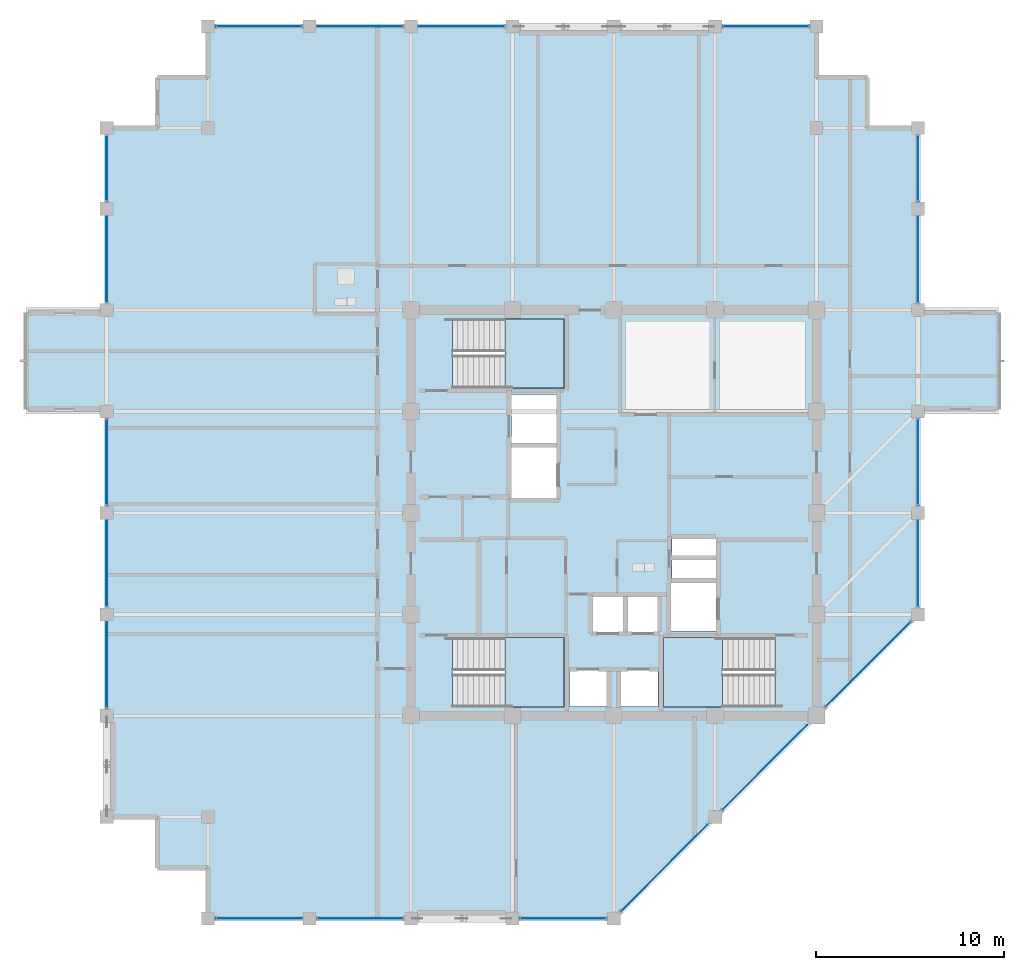
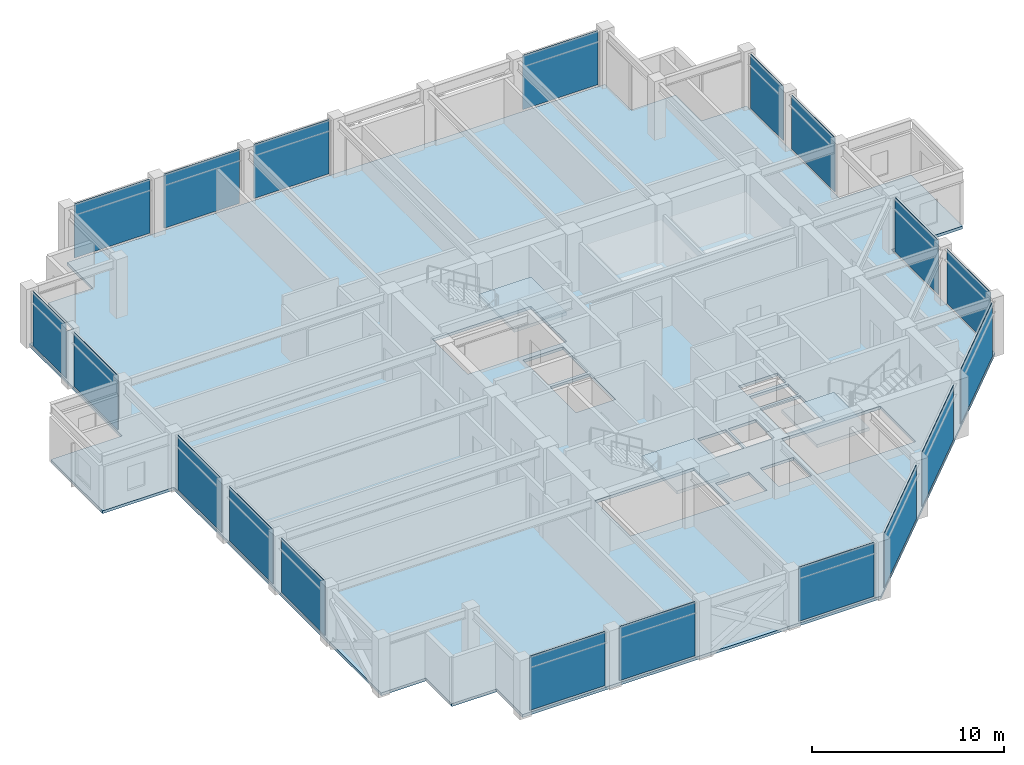
# One storey, part 22 of 31: 19 plates, 4 slabs, 12 elements without a shape of their own.
"""IFC4 building model written with IfcOpenShell, lengths in metres."""

from ifc_helpers import new_model, si_unit, direction, frame, frame_2d, origin, place, context, subcontext, project, spatial, polyline, rectangle, outline, extrude, material, layer, layer_set, type_object, element, aggregate, save


model = new_model("IFC4")

# Units and contexts
model_context = context("Model", 3, precision=1e-05, world=origin(), true_north=direction((0.0, 1.0)))
body_context = subcontext(model_context, "Body", "Model", "MODEL_VIEW")
ifc_project = project(units=[si_unit("LENGTHUNIT", "METRE"), si_unit("AREAUNIT", "SQUARE_METRE"), si_unit("VOLUMEUNIT", "CUBIC_METRE"), si_unit("PLANEANGLEUNIT", "RADIAN"), si_unit("MASSUNIT", "GRAM", prefix="KILO")], contexts=[model_context])

# Site, building, storey
site_placement = place(None, origin())
site = spatial("IfcSite", under=ifc_project, at=site_placement, CompositionType="ELEMENT")
building_placement = place(site_placement, origin())
building = spatial("IfcBuilding", under=site, at=building_placement, Name="Surkhivell Harbour Commons", CompositionType="ELEMENT")
storey_placement = place(building_placement, frame((0.0, 0.0, 262.5)))
storey = spatial("IfcBuildingStorey", under=building, at=storey_placement, Name="L68", CompositionType="ELEMENT", Elevation=262.5)

# Curtain wall, plates
ifc_material_1 = material(Name="Anodised pale-metal aluminium and insulated glazing", Category="aluminium")
ifc_layer_1 = layer(ifc_material_1, 0.175048828125)
ifc_layer_set_1 = layer_set([ifc_layer_1], Name="Anodised pale-metal aluminium and insulated glazing")
curtain_wall_type = type_object("IfcCurtainWallType", Name="CW-SYS-Z4", PredefinedType="NOTDEFINED", material=ifc_layer_set_1)
curtain_wall_1_placement = place(storey_placement, origin())
curtain_wall_1 = element("IfcCurtainWall", 1, at=curtain_wall_1_placement, inside=storey, type_object=curtain_wall_type, Name="L68 Curtain Wall CW-L68-E00S1", PredefinedType="NOTDEFINED")
ifc_material_2 = material(Name="Double-silver low-E laminated vision glass", Category="glass")
ifc_layer_2 = layer(ifc_material_2, 0.031982421875)
ifc_layer_set_2 = layer_set([ifc_layer_2], Name="Double-silver low-E laminated vision glass")
plate_type = type_object("IfcPlateType", Name="CWP-GLZ-32", PredefinedType="CURTAIN_PANEL", material=ifc_layer_set_2)
plate_1_placement = place(storey_placement, frame((-21.173095703125, -21.60009765625, 0.1298828125), z_axis=(0.0, 0.0, 1.0), x_axis=(1.0, 0.0, 0.0)))
plate_1 = element("IfcPlate", 2, at=plate_1_placement, type_object=plate_type, Name="CW-Z4 panel 1.1", PredefinedType="CURTAIN_PANEL", context=body_context, shape_type="SweptSolid", body=[
    extrude(rectangle(XDim=4.546142578125, YDim=0.031982421875, at=frame_2d((2.27294921875, 0.0))), origin(), (0.0, 0.0, 1.0), 3.440185546875),
])
plate_2_placement = place(storey_placement, frame((-15.77294921875, -21.60009765625, 0.1298828125), z_axis=(0.0, 0.0, 1.0), x_axis=(1.0, 0.0, 0.0)))
plate_2 = element("IfcPlate", 3, at=plate_2_placement, type_object=plate_type, Name="CW-Z4 panel 2.1", PredefinedType="CURTAIN_PANEL", context=body_context, shape_type="SweptSolid", body=[
    extrude(rectangle(XDim=4.5458984375, YDim=0.031982421875, at=frame_2d((2.27294921875, 0.0))), origin(), (0.0, 0.0, 1.0), 3.440185546875),
])
aggregate(curtain_wall_1, [plate_1, plate_2])

# Curtain wall, plate
curtain_wall_2_placement = place(storey_placement, origin())
curtain_wall_2 = element("IfcCurtainWall", 4, at=curtain_wall_2_placement, inside=storey, type_object=curtain_wall_type, Name="L68 Curtain Wall CW-L68-E00S2", PredefinedType="NOTDEFINED")
plate_3_placement = place(storey_placement, frame((-4.972900390625, -21.60009765625, 0.1298828125), z_axis=(0.0, 0.0, 1.0), x_axis=(1.0, 0.0, 0.0)))
plate_3 = element("IfcPlate", 5, at=plate_3_placement, type_object=plate_type, Name="CW-Z4 panel 1.1", PredefinedType="CURTAIN_PANEL", context=body_context, shape_type="SweptSolid", body=[
    extrude(rectangle(XDim=4.5458984375, YDim=0.031982421875, at=frame_2d((2.27294921875, 0.0))), origin(), (0.0, 0.0, 1.0), 3.440185546875),
])
aggregate(curtain_wall_2, [plate_3])

# Curtain wall, plates
curtain_wall_3_placement = place(storey_placement, origin())
curtain_wall_3 = element("IfcCurtainWall", 6, at=curtain_wall_3_placement, inside=storey, type_object=curtain_wall_type, Name="L68 Curtain Wall CW-L68-E01", PredefinedType="NOTDEFINED")
plate_4_placement = place(storey_placement, frame((0.404541015625, -21.1953125, 0.1298828125), z_axis=(0.0, 0.0, 1.0), x_axis=(0.707125583467, 0.707087978406, 0.0)))
plate_4 = element("IfcPlate", 7, at=plate_4_placement, type_object=plate_type, Name="CW-Z4 panel 1.1", PredefinedType="CURTAIN_PANEL", context=body_context, shape_type="SweptSolid", body=[
    extrude(rectangle(XDim=6.4921875, YDim=0.031982421875, at=frame_2d((3.24609375, 0.0))), origin(), (0.0, 0.0, 1.0), 3.440185546875),
])
plate_5_placement = place(storey_placement, frame((5.8046875, -15.79541015625, 0.1298828125), z_axis=(0.0, 0.0, 1.0), x_axis=(0.707106781187, 0.707106781187, 0.0)))
plate_5 = element("IfcPlate", 8, at=plate_5_placement, type_object=plate_type, Name="CW-Z4 panel 2.1", PredefinedType="CURTAIN_PANEL", context=body_context, shape_type="SweptSolid", body=[
    extrude(rectangle(XDim=6.350830078125, YDim=0.031982421875, at=frame_2d((3.17529296875, 0.0))), origin(), (0.0, 0.0, 1.0), 3.440185546875),
])
plate_6_placement = place(storey_placement, frame((11.3046875, -10.29541015625, 0.1298828125), z_axis=(0.0, 0.0, 1.0), x_axis=(0.707106781187, 0.707106781187, 0.0)))
plate_6 = element("IfcPlate", 9, at=plate_6_placement, type_object=plate_type, Name="CW-Z4 panel 3.1", PredefinedType="CURTAIN_PANEL", context=body_context, shape_type="SweptSolid", body=[
    extrude(rectangle(XDim=6.350830078125, YDim=0.031982421875, at=frame_2d((3.17529296875, 0.0))), origin(), (0.0, 0.0, 1.0), 3.440185546875),
])
aggregate(curtain_wall_3, [plate_4, plate_5, plate_6])

curtain_wall_4_placement = place(storey_placement, origin())
curtain_wall_4 = element("IfcCurtainWall", 10, at=curtain_wall_4_placement, inside=storey, type_object=curtain_wall_type, Name="L68 Curtain Wall CW-L68-E02R1", PredefinedType="NOTDEFINED")
plate_7_placement = place(storey_placement, frame((16.199951171875, -4.972900390625, 0.1298828125), z_axis=(0.0, 0.0, 1.0), x_axis=(0.0, 1.0, 0.0)))
plate_7 = element("IfcPlate", 11, at=plate_7_placement, type_object=plate_type, Name="CW-Z4 panel 1.1", PredefinedType="CURTAIN_PANEL", context=body_context, shape_type="SweptSolid", body=[
    extrude(rectangle(XDim=4.5458984375, YDim=0.031982421875, at=frame_2d((2.27294921875, 0.0))), origin(), (0.0, 0.0, 1.0), 3.440185546875),
])
plate_8_placement = place(storey_placement, frame((16.199951171875, 0.427001953125, 0.1298828125), z_axis=(0.0, 0.0, 1.0), x_axis=(0.0, 1.0, 0.0)))
plate_8 = element("IfcPlate", 12, at=plate_8_placement, type_object=plate_type, Name="CW-Z4 panel 2.1", PredefinedType="CURTAIN_PANEL", context=body_context, shape_type="SweptSolid", body=[
    extrude(rectangle(XDim=4.5458984375, YDim=0.031982421875, at=frame_2d((2.27294921875, 0.0))), origin(), (0.0, 0.0, 1.0), 3.440185546875),
])
aggregate(curtain_wall_4, [plate_7, plate_8])

curtain_wall_5_placement = place(storey_placement, origin())
curtain_wall_5 = element("IfcCurtainWall", 13, at=curtain_wall_5_placement, inside=storey, type_object=curtain_wall_type, Name="L68 Curtain Wall CW-L68-E02R2", PredefinedType="NOTDEFINED")
plate_9_placement = place(storey_placement, frame((16.199951171875, 11.22705078125, 0.1298828125), z_axis=(0.0, 0.0, 1.0), x_axis=(0.0, 1.0, 0.0)))
plate_9 = element("IfcPlate", 14, at=plate_9_placement, type_object=plate_type, Name="CW-Z4 panel 1.1", PredefinedType="CURTAIN_PANEL", context=body_context, shape_type="SweptSolid", body=[
    extrude(rectangle(XDim=4.5458984375, YDim=0.031982421875, at=frame_2d((2.27294921875, 0.0))), origin(), (0.0, 0.0, 1.0), 3.440185546875),
])
plate_10_placement = place(storey_placement, frame((16.199951171875, 16.626953125, 0.1298828125), z_axis=(0.0, 0.0, 1.0), x_axis=(0.0, 1.0, 0.0)))
plate_10 = element("IfcPlate", 15, at=plate_10_placement, type_object=plate_type, Name="CW-Z4 panel 2.1", PredefinedType="CURTAIN_PANEL", context=body_context, shape_type="SweptSolid", body=[
    extrude(rectangle(XDim=3.446044921875, YDim=0.031982421875, at=frame_2d((1.72314453125, 0.0))), origin(), (0.0, 0.0, 1.0), 3.440185546875),
])
aggregate(curtain_wall_5, [plate_9, plate_10])

# Curtain wall, plate
curtain_wall_6_placement = place(storey_placement, origin())
curtain_wall_6 = element("IfcCurtainWall", 16, at=curtain_wall_6_placement, inside=storey, type_object=curtain_wall_type, Name="L68 Curtain Wall CW-L68-E07S1", PredefinedType="NOTDEFINED")
plate_11_placement = place(storey_placement, frame((10.373046875, 25.89990234375, 0.1298828125), z_axis=(0.0, 0.0, 1.0), x_axis=(-1.0, 0.0, 0.0)))
plate_11 = element("IfcPlate", 17, at=plate_11_placement, type_object=plate_type, Name="CW-Z4 panel 1.1", PredefinedType="CURTAIN_PANEL", context=body_context, shape_type="SweptSolid", body=[
    extrude(rectangle(XDim=4.546142578125, YDim=0.031982421875, at=frame_2d((2.27294921875, 0.0))), origin(), (0.0, 0.0, 1.0), 3.440185546875),
])
aggregate(curtain_wall_6, [plate_11])

# Curtain wall, plates
curtain_wall_7_placement = place(storey_placement, origin())
curtain_wall_7 = element("IfcCurtainWall", 18, at=curtain_wall_7_placement, inside=storey, type_object=curtain_wall_type, Name="L68 Curtain Wall CW-L68-E07S2", PredefinedType="NOTDEFINED")
plate_12_placement = place(storey_placement, frame((-5.826904296875, 25.89990234375, 0.1298828125), z_axis=(0.0, 0.0, 1.0), x_axis=(-1.0, 0.0, 0.0)))
plate_12 = element("IfcPlate", 19, at=plate_12_placement, type_object=plate_type, Name="CW-Z4 panel 1.1", PredefinedType="CURTAIN_PANEL", context=body_context, shape_type="SweptSolid", body=[
    extrude(rectangle(XDim=4.546142578125, YDim=0.031982421875, at=frame_2d((2.27294921875, 0.0))), origin(), (0.0, 0.0, 1.0), 3.440185546875),
])
plate_13_placement = place(storey_placement, frame((-11.22705078125, 25.89990234375, 0.1298828125), z_axis=(0.0, 0.0, 1.0), x_axis=(-1.0, 0.0, 0.0)))
plate_13 = element("IfcPlate", 20, at=plate_13_placement, type_object=plate_type, Name="CW-Z4 panel 2.1", PredefinedType="CURTAIN_PANEL", context=body_context, shape_type="SweptSolid", body=[
    extrude(rectangle(XDim=4.5458984375, YDim=0.031982421875, at=frame_2d((2.27294921875, 0.0))), origin(), (0.0, 0.0, 1.0), 3.440185546875),
])
plate_14_placement = place(storey_placement, frame((-16.626953125, 25.89990234375, 0.1298828125), z_axis=(0.0, 0.0, 1.0), x_axis=(-1.0, 0.0, 0.0)))
plate_14 = element("IfcPlate", 21, at=plate_14_placement, type_object=plate_type, Name="CW-Z4 panel 3.1", PredefinedType="CURTAIN_PANEL", context=body_context, shape_type="SweptSolid", body=[
    extrude(rectangle(XDim=4.546142578125, YDim=0.031982421875, at=frame_2d((2.27294921875, 0.0))), origin(), (0.0, 0.0, 1.0), 3.440185546875),
])
aggregate(curtain_wall_7, [plate_12, plate_13, plate_14])

curtain_wall_8_placement = place(storey_placement, origin())
curtain_wall_8 = element("IfcCurtainWall", 22, at=curtain_wall_8_placement, inside=storey, type_object=curtain_wall_type, Name="L68 Curtain Wall CW-L68-E12R1S1", PredefinedType="NOTDEFINED")
plate_15_placement = place(storey_placement, frame((-27.0, -10.373046875, 0.1298828125), z_axis=(0.0, 0.0, 1.0), x_axis=(0.0, 1.0, 0.0)))
plate_15 = element("IfcPlate", 23, at=plate_15_placement, type_object=plate_type, Name="CW-Z4 panel 1.1", PredefinedType="CURTAIN_PANEL", context=body_context, shape_type="SweptSolid", body=[
    extrude(rectangle(XDim=4.546142578125, YDim=0.031982421875, at=frame_2d((2.27294921875, 0.0))), origin(), (0.0, 0.0, 1.0), 3.440185546875),
])
plate_16_placement = place(storey_placement, frame((-27.0, -4.972900390625, 0.1298828125), z_axis=(0.0, 0.0, 1.0), x_axis=(0.0, 1.0, 0.0)))
plate_16 = element("IfcPlate", 24, at=plate_16_placement, type_object=plate_type, Name="CW-Z4 panel 2.1", PredefinedType="CURTAIN_PANEL", context=body_context, shape_type="SweptSolid", body=[
    extrude(rectangle(XDim=4.5458984375, YDim=0.031982421875, at=frame_2d((2.27294921875, 0.0))), origin(), (0.0, 0.0, 1.0), 3.440185546875),
])
plate_17_placement = place(storey_placement, frame((-27.0, 0.427001953125, 0.1298828125), z_axis=(0.0, 0.0, 1.0), x_axis=(0.0, 1.0, 0.0)))
plate_17 = element("IfcPlate", 25, at=plate_17_placement, type_object=plate_type, Name="CW-Z4 panel 3.1", PredefinedType="CURTAIN_PANEL", context=body_context, shape_type="SweptSolid", body=[
    extrude(rectangle(XDim=4.5458984375, YDim=0.031982421875, at=frame_2d((2.27294921875, 0.0))), origin(), (0.0, 0.0, 1.0), 3.440185546875),
])
aggregate(curtain_wall_8, [plate_15, plate_16, plate_17])

curtain_wall_9_placement = place(storey_placement, origin())
curtain_wall_9 = element("IfcCurtainWall", 26, at=curtain_wall_9_placement, inside=storey, type_object=curtain_wall_type, Name="L68 Curtain Wall CW-L68-E12R2", PredefinedType="NOTDEFINED")
plate_18_placement = place(storey_placement, frame((-27.0, 11.22705078125, 0.1298828125), z_axis=(0.0, 0.0, 1.0), x_axis=(0.0, 1.0, 0.0)))
plate_18 = element("IfcPlate", 27, at=plate_18_placement, type_object=plate_type, Name="CW-Z4 panel 1.1", PredefinedType="CURTAIN_PANEL", context=body_context, shape_type="SweptSolid", body=[
    extrude(rectangle(XDim=4.5458984375, YDim=0.031982421875, at=frame_2d((2.27294921875, 0.0))), origin(), (0.0, 0.0, 1.0), 3.440185546875),
])
plate_19_placement = place(storey_placement, frame((-27.0, 16.626953125, 0.1298828125), z_axis=(0.0, 0.0, 1.0), x_axis=(0.0, 1.0, 0.0)))
plate_19 = element("IfcPlate", 28, at=plate_19_placement, type_object=plate_type, Name="CW-Z4 panel 2.1", PredefinedType="CURTAIN_PANEL", context=body_context, shape_type="SweptSolid", body=[
    extrude(rectangle(XDim=3.446044921875, YDim=0.031982421875, at=frame_2d((1.72314453125, 0.0))), origin(), (0.0, 0.0, 1.0), 3.440185546875),
])
aggregate(curtain_wall_9, [plate_18, plate_19])

# Stair, slab
ifc_material_3 = material(Name="Precast concrete C45/55", Category="concrete")
stair_type = type_object("IfcStairType", Name="STR-DL-375", PredefinedType="HALF_TURN_STAIR", material=ifc_material_3)
stair_1_placement = place(storey_placement, origin())
stair_1 = element("IfcStair", 29, at=stair_1_placement, inside=storey, type_object=stair_type, Name="L68 Core Exit Stair ST1", PredefinedType="HALF_TURN_STAIR")
ifc_material_4 = material(Name="Reinforced concrete C45/55", Category="concrete")
ifc_layer_3 = layer(ifc_material_4, 0.199951171875)
ifc_layer_set_3 = layer_set([ifc_layer_3], Name="Reinforced concrete C45/55")
slab_type_1 = type_object("IfcSlabType", Name="SLB-ST-LND200", PredefinedType="LANDING", material=ifc_layer_set_3)
slab_1_placement = place(storey_placement, frame((0.0, 0.0, 1.675048828125)))
slab_1 = element("IfcSlab", 30, at=slab_1_placement, type_object=slab_type_1, Name="ST1 landing 1", PredefinedType="LANDING", context=body_context, shape_type="SweptSolid", body=[
    extrude(outline(polyline([(-5.7900390625, 6.639892578125), (-2.639892578125, 6.639892578125), (-2.639892578125, 10.340087890625), (-5.7900390625, 10.340087890625), (-5.7900390625, 6.639892578125)])), origin(), (0.0, 0.0, 1.0), 0.199951171875),
])
aggregate(stair_1, [slab_1])

stair_2_placement = place(storey_placement, origin())
stair_2 = element("IfcStair", 31, at=stair_2_placement, inside=storey, type_object=stair_type, Name="L68 Core Exit Stair ST2", PredefinedType="HALF_TURN_STAIR")
slab_2_placement = place(storey_placement, frame((0.0, 0.0, 1.675048828125)))
slab_2 = element("IfcSlab", 32, at=slab_2_placement, type_object=slab_type_1, Name="ST2 landing 1", PredefinedType="LANDING", context=body_context, shape_type="SweptSolid", body=[
    extrude(outline(polyline([(5.7900390625, -6.639892578125), (2.639892578125, -6.639892578125), (2.639892578125, -10.340087890625), (5.7900390625, -10.340087890625), (5.7900390625, -6.639892578125)])), origin(), (0.0, 0.0, 1.0), 0.199951171875),
])
aggregate(stair_2, [slab_2])

stair_3_placement = place(storey_placement, origin())
stair_3 = element("IfcStair", 33, at=stair_3_placement, inside=storey, type_object=stair_type, Name="L68 Core Exit Stair ST3", PredefinedType="HALF_TURN_STAIR")
slab_3_placement = place(storey_placement, frame((0.0, 0.0, 1.675048828125)))
slab_3 = element("IfcSlab", 34, at=slab_3_placement, type_object=slab_type_1, Name="ST3 landing 1", PredefinedType="LANDING", context=body_context, shape_type="SweptSolid", body=[
    extrude(outline(polyline([(-5.7900390625, -10.340087890625), (-2.639892578125, -10.340087890625), (-2.639892578125, -6.639892578125), (-5.7900390625, -6.639892578125), (-5.7900390625, -10.340087890625)])), origin(), (0.0, 0.0, 1.0), 0.199951171875),
])
aggregate(stair_3, [slab_3])

# Slab
ifc_material_5 = material(Name="Concrete C45/55", Category="concrete")
ifc_layer_4 = layer(ifc_material_5, 0.179931640625)
ifc_layer_set_4 = layer_set([ifc_layer_4], Name="Concrete C45/55")
slab_type_2 = type_object("IfcSlabType", Name="SLB-TYP-180", PredefinedType="FLOOR", material=ifc_layer_set_4)
slab_4_placement = place(storey_placement, frame((0.0, 0.0, -0.179931640625)))
element("IfcSlab", 35, at=slab_4_placement, inside=storey, type_object=slab_type_2, Name="L68 Structural Floor Slab", PredefinedType="FLOOR", context=body_context, shape_type="SweptSolid", body=[
    extrude(outline(polyline([(-27.0, 20.5), (-27.0, 10.800048828125), (-31.300048828125, 10.800048828125), (-31.300048828125, 5.39990234375), (-27.0, 5.39990234375), (-27.0, -16.199951171875), (-24.300048828125, -16.199951171875), (-24.300048828125, -18.89990234375), (-21.60009765625, -18.89990234375), (-21.60009765625, -21.60009765625), (0.0, -21.60009765625), (16.199951171875, -5.39990234375), (16.199951171875, 5.39990234375), (20.5, 5.39990234375), (20.5, 10.800048828125), (16.199951171875, 10.800048828125), (16.199951171875, 20.5), (13.5, 20.5), (13.5, 23.199951171875), (10.800048828125, 23.199951171875), (10.800048828125, 25.89990234375), (-21.60009765625, 25.89990234375), (-21.60009765625, 23.199951171875), (-24.300048828125, 23.199951171875), (-24.300048828125, 20.5), (-27.0, 20.5)]), holes=[polyline([(-8.590087890625, 6.639892578125), (-2.639892578125, 6.639892578125), (-2.639892578125, 10.340087890625), (-8.590087890625, 10.340087890625), (-8.590087890625, 6.639892578125)]), polyline([(8.590087890625, -6.639892578125), (2.639892578125, -6.639892578125), (2.639892578125, -10.340087890625), (8.590087890625, -10.340087890625), (8.590087890625, -6.639892578125)]), polyline([(-8.590087890625, -10.340087890625), (-2.639892578125, -10.340087890625), (-2.639892578125, -6.639892578125), (-8.590087890625, -6.639892578125), (-8.590087890625, -10.340087890625)]), polyline([(-1.14990234375, -6.35009765625), (0.550048828125, -6.35009765625), (0.550048828125, -4.449951171875), (-1.14990234375, -4.449951171875), (-1.14990234375, -6.35009765625)]), polyline([(0.679931640625, -6.35009765625), (2.3798828125, -6.35009765625), (2.3798828125, -4.449951171875), (0.679931640625, -4.449951171875), (0.679931640625, -6.35009765625)]), polyline([(-2.35009765625, -10.300048828125), (-0.35009765625, -10.300048828125), (-0.35009765625, -8.39990234375), (-2.35009765625, -8.39990234375), (-2.35009765625, -10.300048828125)]), polyline([(0.35009765625, -10.300048828125), (2.35009765625, -10.300048828125), (2.35009765625, -8.39990234375), (0.35009765625, -8.39990234375), (0.35009765625, -10.300048828125)]), polyline([(-5.449951171875, 3.699951171875), (-3.050048828125, 3.699951171875), (-3.050048828125, 6.300048828125), (-5.449951171875, 6.300048828125), (-5.449951171875, 3.699951171875)]), polyline([(3.050048828125, -6.300048828125), (5.449951171875, -6.300048828125), (5.449951171875, -3.699951171875), (3.050048828125, -3.699951171875), (3.050048828125, -6.300048828125)]), polyline([(-5.449951171875, 0.800048828125), (-3.050048828125, 0.800048828125), (-3.050048828125, 3.5), (-5.449951171875, 3.5), (-5.449951171875, 0.800048828125)]), polyline([(3.10009765625, -3.550048828125), (5.449951171875, -3.550048828125), (5.449951171875, -2.47998046875), (3.10009765625, -2.47998046875), (3.10009765625, -3.550048828125)]), polyline([(3.10009765625, -2.280029296875), (5.449951171875, -2.280029296875), (5.449951171875, -1.35009765625), (3.10009765625, -1.35009765625), (3.10009765625, -2.280029296875)])]), origin(), (0.0, 0.0, 1.0), 0.179931640625),
])

save(model, "model.ifc")
